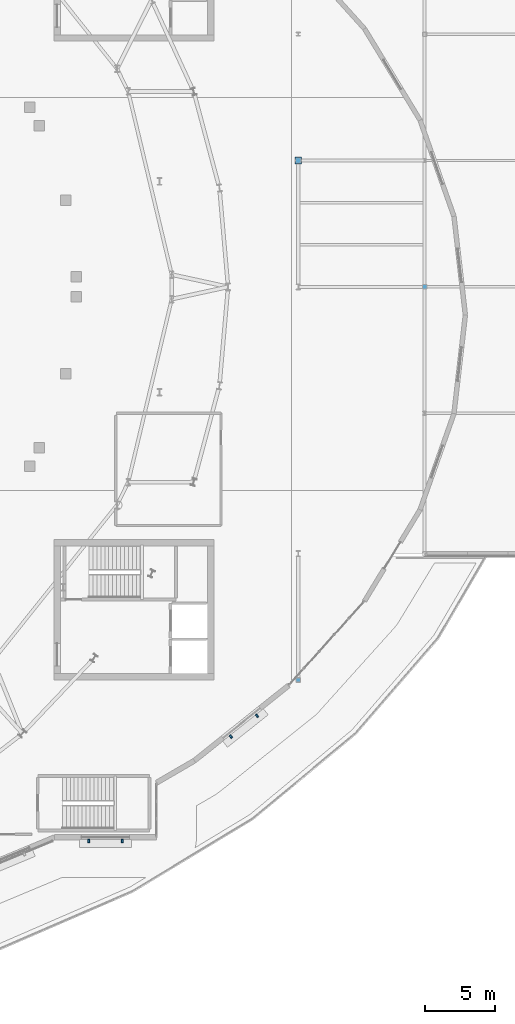
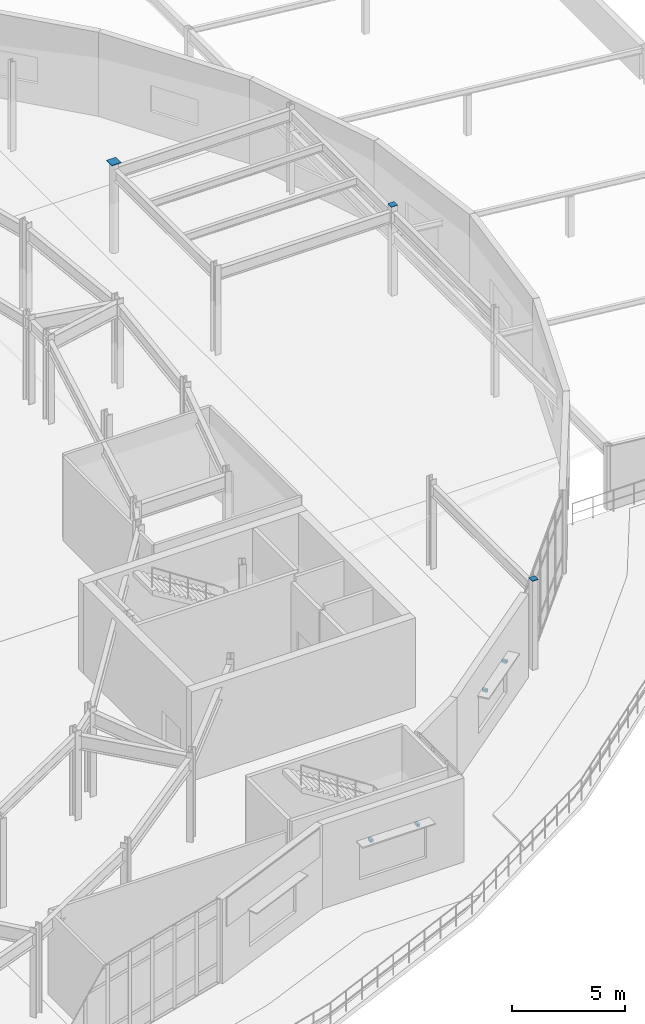
# One storey, part 77 of 84: 7 discrete accessories.
"""IFC4 building model written with IfcOpenShell, lengths in metres."""

from ifc_helpers import new_model, si_unit, direction, frame, origin, origin_2d, place, context, subcontext, project, spatial, rectangle, extrude, material, type_object, element, save


model = new_model("IFC4")

# Units and contexts
model_context = context("Model", 3, precision=1e-05, world=origin(), true_north=direction((0.0, 1.0)))
body_context = subcontext(model_context, "Body", "Model", "MODEL_VIEW")
ifc_project = project(units=[si_unit("LENGTHUNIT", "METRE"), si_unit("AREAUNIT", "SQUARE_METRE"), si_unit("VOLUMEUNIT", "CUBIC_METRE"), si_unit("PLANEANGLEUNIT", "RADIAN"), si_unit("MASSUNIT", "GRAM", prefix="KILO")], contexts=[model_context])

# Site, building, storey
site_placement = place(None, origin())
site = spatial("IfcSite", under=ifc_project, at=site_placement, CompositionType="ELEMENT")
building_placement = place(site_placement, origin())
building = spatial("IfcBuilding", under=site, at=building_placement, Name="Glasvene Arena", CompositionType="ELEMENT")
storey_placement = place(building_placement, frame((0.0, 0.0, 10.199951171875)))
storey = spatial("IfcBuildingStorey", under=building, at=storey_placement, Name="L02", CompositionType="ELEMENT", Elevation=10.199951171875)

# Discrete accessories
ifc_material_1 = material(Name="Steel S355J2", Category="steel")
discrete_accessory_type_1 = type_object("IfcDiscreteAccessoryType", Name="ACC-CAP-CHS420", PredefinedType="USERDEFINED", material=ifc_material_1)
discrete_accessory_placement = place(storey_placement, frame((147.0, 82.0, 4.798095703125), z_axis=(0.0, 0.0, 1.0), x_axis=(1.0, 0.0, 0.0)))
element("IfcDiscreteAccessory", 1, at=discrete_accessory_placement, inside=storey, type_object=discrete_accessory_type_1, Name="Hollow column top cap plate 17-10 L02", ObjectType="CAP PLATE", PredefinedType="USERDEFINED", context=body_context, shape_type="SweptSolid", body=[
    extrude(rectangle(XDim=0.47998046875, YDim=0.47998046875, at=origin_2d()), origin(), (0.0, 0.0, 1.0), 0.02001953125),
])
discrete_accessory_type_2 = type_object("IfcDiscreteAccessoryType", Name="ACC-CAP-SHS320", PredefinedType="USERDEFINED", material=ifc_material_1)
for number, where, z_axis, x_axis, name in (
    (2, (147.0, 45.0, 4.798095703125), (0.0, 0.0, 1.0), (1.0, 0.0, 0.0), "Hollow column top cap plate 17-6 L02"),
    (3, (156.0, 73.0, 4.798095703125), (0.0, 0.0, 1.0), (1.0, 0.0, 0.0), "Hollow column top cap plate 18-9 L02"),
):
    element("IfcDiscreteAccessory", number, at=place(storey_placement, frame(where, z_axis=z_axis, x_axis=x_axis)), inside=storey, type_object=discrete_accessory_type_2, Name=name, ObjectType="CAP PLATE", PredefinedType="USERDEFINED", context=body_context, shape_type="SweptSolid", body=[
        extrude(rectangle(XDim=0.320068359375, YDim=0.320068359375, at=origin_2d()), origin(), (0.0, 0.0, 1.0), 0.02001953125),
    ])
ifc_material_2 = material(Name="Warm bronze architectural aluminium", Category="aluminium")
discrete_accessory_type_3 = type_object("IfcDiscreteAccessoryType", Name="ACC-FIN-BRK", PredefinedType="BRACKET", material=ifc_material_2)
for number, where, z_axis, x_axis, name in (
    (4, (144.06103515625, 42.452880859375, 2.8701171875), (0.0, 0.0, 1.0), (-0.781738199863, -0.623606756598, 0.0), "Brise-soleil wall bracket BK-052"),
    (5, (142.20068359375, 40.96875, 2.8701171875), (0.0, 0.0, 1.0), (-0.781738199863, -0.623606756598, 0.0), "Brise-soleil wall bracket BK-052"),
    (6, (134.459716796875, 33.52001953125, 2.8701171875), (0.0, 0.0, 1.0), (-1.0, 0.0, 0.0), "Brise-soleil wall bracket BK-053"),
    (7, (132.07958984375, 33.52001953125, 2.8701171875), (0.0, 0.0, 1.0), (-1.0, 0.0, 0.0), "Brise-soleil wall bracket BK-053"),
):
    element("IfcDiscreteAccessory", number, at=place(storey_placement, frame(where, z_axis=z_axis, x_axis=x_axis)), inside=storey, type_object=discrete_accessory_type_3, Name=name, PredefinedType="BRACKET", context=body_context, shape_type="SweptSolid", body=[
        extrude(rectangle(XDim=0.139892578125, YDim=0.239990234375, at=origin_2d()), origin(), (0.0, 0.0, 1.0), 0.139892578125),
    ])

save(model, "model.ifc")
